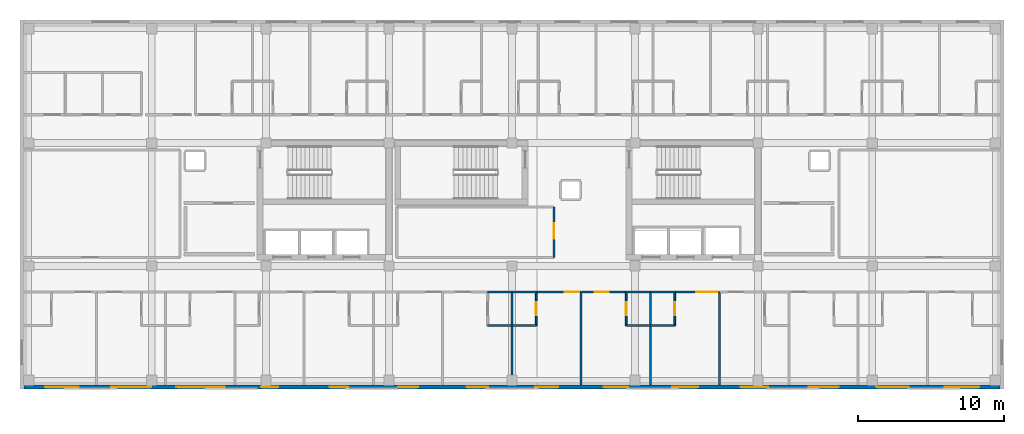
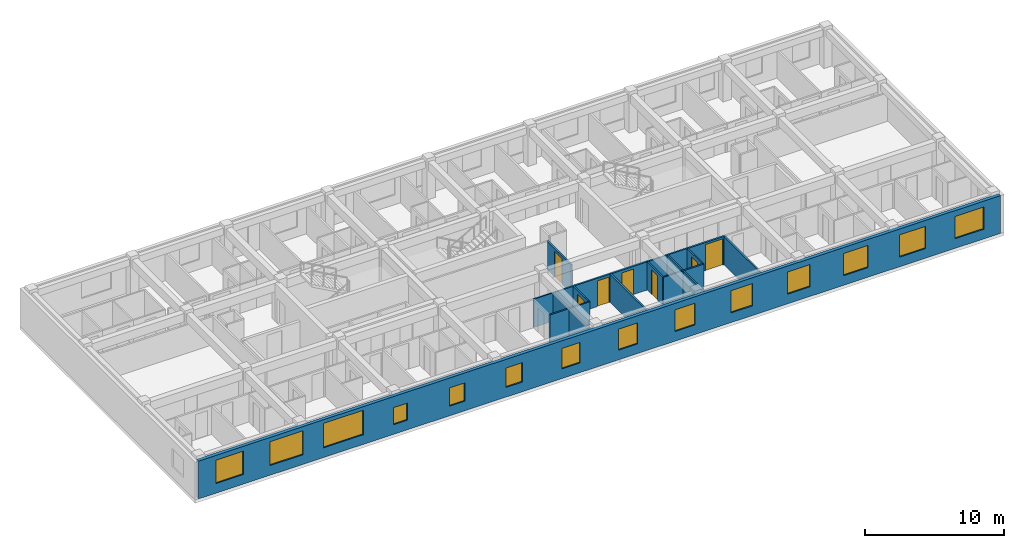
# One storey, part 5 of 11: 20 walls, 14 windows, 7 doors, 21 openings.
"""IFC4 building model written with IfcOpenShell, lengths in metres."""

import ifcopenshell
import ifcopenshell.guid

model = None  # the IFC model being written
_history = None  # IfcOwnerHistory: only IFC2X3 demands one
_inside = {}  # id of a spatial element -> (the spatial element, [elements in it])
_under = {}  # id of a project, library or spatial element -> (it, [spatial elements below it])
_declared = {}  # id of a project -> (the project, [libraries it declares])
_typed = {}  # id of a type object -> (the type object, [elements of that type])
_made_of = {}  # id of a material, layer set ... -> (it, [elements and type objects made of it])


def new_model(schema):
    """Start an empty IFC model of exactly this schema.

    Asked for "IFC4X3", IfcOpenShell would pick the latest addendum, in which some entities
    have other attributes; the version numbers below select the first issue.
    IFC2X3 requires an IfcOwnerHistory on every rooted entity: one is made here for all.
    """
    global model, _history
    if schema == "IFC4X3":
        model = ifcopenshell.file(schema_version=(4, 3, 0, 0))
    else:
        model = ifcopenshell.file(schema=schema)
    _inside.clear()
    _under.clear()
    _declared.clear()
    _typed.clear()
    _made_of.clear()
    _history = None
    if model.schema == "IFC2X3":
        org = make("IfcOrganization", Name="unknown")
        user = make(
            "IfcPersonAndOrganization",
            ThePerson=make("IfcPerson", FamilyName="unknown"),
            TheOrganization=org,
        )
        app = make(
            "IfcApplication",
            ApplicationDeveloper=org,
            Version="unknown",
            ApplicationFullName="unknown",
            ApplicationIdentifier="unknown",
        )
        _history = make(
            "IfcOwnerHistory",
            OwningUser=user,
            OwningApplication=app,
            ChangeAction="ADDED",
            CreationDate=0,
        )
    return model


def make(cls, **values):
    """One entity of the class cls with the attributes given. An attribute that is None is left unset."""
    return model.create_entity(
        cls, **{name: value for name, value in values.items() if value is not None}
    )


def rooted(cls, **values):
    """An entity with a GlobalId (a new one), such as an element, a storey or a relation."""
    return make(cls, GlobalId=ifcopenshell.guid.new(), OwnerHistory=_history, **values)


def si_unit(unit_type, name, prefix=None):
    """IfcSIUnit, for example si_unit("LENGTHUNIT", "METRE", prefix="MILLI")."""
    return make("IfcSIUnit", UnitType=unit_type, Prefix=prefix, Name=name)


def assignment(units):
    """IfcUnitAssignment: the units of a project."""
    return None if units is None else make("IfcUnitAssignment", Units=units)


def point(xyz):
    """IfcCartesianPoint."""
    return None if xyz is None else make("IfcCartesianPoint", Coordinates=xyz)


def direction(xyz):
    """IfcDirection."""
    return None if xyz is None else make("IfcDirection", DirectionRatios=xyz)


def frame(location, z_axis=None, x_axis=None):
    """IfcAxis2Placement3D, a coordinate frame: its origin and axes. An axis left out is left unset."""
    return make(
        "IfcAxis2Placement3D",
        Location=point(location),
        Axis=direction(z_axis),
        RefDirection=direction(x_axis),
    )


def frame_2d(location, x_axis=None):
    """IfcAxis2Placement2D, a coordinate frame in the plane: its origin and x axis."""
    return make(
        "IfcAxis2Placement2D", Location=point(location), RefDirection=direction(x_axis)
    )


def origin():
    """The frame at (0, 0, 0) with its axes left unset."""
    return frame((0.0, 0.0, 0.0))


def place(relative_to, where):
    """IfcLocalPlacement: puts the frame where relative to a parent placement (None: the world)."""
    return make(
        "IfcLocalPlacement", PlacementRelTo=relative_to, RelativePlacement=where
    )


def context(
    kind, dimensions, precision=None, world=None, true_north=None, identifier=None
):
    """IfcGeometricRepresentationContext, for example the 3D "Model" context."""
    return make(
        "IfcGeometricRepresentationContext",
        ContextIdentifier=identifier,
        ContextType=kind,
        CoordinateSpaceDimension=dimensions,
        Precision=precision,
        WorldCoordinateSystem=world,
        TrueNorth=true_north,
    )


def subcontext(parent, identifier, kind, view, scale=None):
    """IfcGeometricRepresentationSubContext, for example "Body" below "Model"."""
    return make(
        "IfcGeometricRepresentationSubContext",
        ContextIdentifier=identifier,
        ContextType=kind,
        ParentContext=parent,
        TargetScale=scale,
        TargetView=view,
    )


def project(units=None, contexts=None):
    """IfcProject with its units and contexts."""
    return rooted(
        "IfcProject",
        Name="project",
        RepresentationContexts=contexts,
        UnitsInContext=assignment(units),
    )


def spatial(cls, under=None, at=None, **own):
    """A site, building, storey or space (cls), placed at a placement, below another one or the project."""
    s = rooted(cls, ObjectPlacement=at, **own)
    if under is not None:
        _under.setdefault(under.id(), (under, []))[1].append(s)
    return s


def profile(cls, at=None, kind="AREA", **sizes):
    """A parametric profile (cls). Its sizes go by their IFC names, for example OverallWidth=200.0."""
    return make(cls, ProfileType=kind, Position=at, **sizes)


def rectangle(**sizes):
    """IfcRectangleProfileDef."""
    return profile("IfcRectangleProfileDef", **sizes)


def extrude(swept, where, along, depth):
    """IfcExtrudedAreaSolid: the profile swept, set in the frame where, extruded along a direction by depth."""
    return make(
        "IfcExtrudedAreaSolid",
        SweptArea=swept,
        Position=where,
        ExtrudedDirection=direction(along),
        Depth=depth,
    )


def shape(context_of_items, identifier, shape_type, items):
    """IfcShapeRepresentation: the items that make up one representation, for example the "Body"."""
    return make(
        "IfcShapeRepresentation",
        ContextOfItems=context_of_items,
        RepresentationIdentifier=identifier,
        RepresentationType=shape_type,
        Items=items,
    )


def material(Name=None, Category=None):
    """IfcMaterial."""
    return make("IfcMaterial", Name=Name, Category=Category)


def layer(
    of_material, thickness, ventilated=None, Name=None, Category=None, Priority=None
):
    """IfcMaterialLayer: one layer of a wall or slab, of a material (None: an air gap)."""
    return make(
        "IfcMaterialLayer",
        Material=of_material,
        LayerThickness=thickness,
        IsVentilated=ventilated,
        Name=Name,
        Category=Category,
        Priority=Priority,
    )


def layer_set(layers, Name=None):
    """IfcMaterialLayerSet."""
    return make("IfcMaterialLayerSet", MaterialLayers=layers, LayerSetName=Name)


def made_of(thing, what):
    """Note that an element or type object is made of a material, layer set ...; save() writes the relation."""
    if what is not None:
        _made_of.setdefault(what.id(), (what, []))[1].append(thing)
    return thing


def type_object(cls, material=None, **own):
    """A type object (cls), such as IfcWallType, which elements share."""
    return made_of(rooted(cls, **own), material)


def element(
    cls,
    number,
    at=None,
    inside=None,
    cuts=None,
    type_object=None,
    material=None,
    context=None,
    identifier="Body",
    shape_type=None,
    held_by="IfcProductDefinitionShape",
    body=None,
    shapes=None,
    **own,
):
    """One element of the class cls, such as IfcWall. Its Tag is "e" and its number.

    at: its placement. inside: the storey or other place that contains it. cuts: it is an
    opening in that element (IfcRelVoidsElement). A single representation is given by context,
    identifier, shape_type and body (its items); several are given by shapes. held_by: the class
    of the entity that holds the representations. save() writes the other relations.
    """
    e = rooted(cls, Tag="e%d" % number, ObjectPlacement=at, **own)
    if body is not None:
        shapes = [shape(context, identifier, shape_type, body)]
    if shapes is not None:
        e.Representation = make(held_by, Representations=shapes)
    if inside is not None:
        _inside.setdefault(inside.id(), (inside, []))[1].append(e)
    if cuts is not None:
        rooted(
            "IfcRelVoidsElement", RelatingBuildingElement=cuts, RelatedOpeningElement=e
        )
    if type_object is not None:
        _typed.setdefault(type_object.id(), (type_object, []))[1].append(e)
    return made_of(e, material)


def fill(opening, filler):
    """IfcRelFillsElement: the door or window that sits in an opening."""
    return rooted(
        "IfcRelFillsElement",
        RelatingOpeningElement=opening,
        RelatedBuildingElement=filler,
    )


def aggregate(whole, parts):
    """IfcRelAggregates: a whole, such as a stair, and the parts it consists of."""
    return rooted("IfcRelAggregates", RelatingObject=whole, RelatedObjects=parts)


def save(model, path):
    """Write the relations noted so far, then the file.

    IfcRelAggregates (storeys below a building ...), IfcRelContainedInSpatialStructure (elements
    in a storey), IfcRelDefinesByType, IfcRelAssociatesMaterial and IfcRelDeclares: one each for
    every whole, place, type object, material and project.
    """
    for whole, parts in _under.values():
        aggregate(whole, parts)
    for where, things in _inside.values():
        rooted(
            "IfcRelContainedInSpatialStructure",
            RelatedElements=things,
            RelatingStructure=where,
        )
    for kind, things in _typed.values():
        rooted("IfcRelDefinesByType", RelatedObjects=things, RelatingType=kind)
    for what, things in _made_of.values():
        rooted("IfcRelAssociatesMaterial", RelatedObjects=things, RelatingMaterial=what)
    for by, libraries in _declared.values():
        rooted("IfcRelDeclares", RelatingContext=by, RelatedDefinitions=libraries)
    model.write(path)


model = new_model("IFC4")

# Units and contexts
model_context = context("Model", 3, precision=1e-05, world=origin(), true_north=direction((0.0, 1.0)))
body_context = subcontext(model_context, "Body", "Model", "MODEL_VIEW")
ifc_project = project(units=[si_unit("LENGTHUNIT", "METRE"), si_unit("AREAUNIT", "SQUARE_METRE"), si_unit("VOLUMEUNIT", "CUBIC_METRE"), si_unit("PLANEANGLEUNIT", "RADIAN"), si_unit("MASSUNIT", "GRAM", prefix="KILO")], contexts=[model_context])

# Site, building, storey
site_placement = place(None, origin())
site = spatial("IfcSite", under=ifc_project, at=site_placement, CompositionType="ELEMENT")
building_placement = place(site_placement, origin())
building = spatial("IfcBuilding", under=site, at=building_placement, Name="Zayran Congress Hotel", CompositionType="ELEMENT")
storey_placement = place(building_placement, frame((0.0, 0.0, 26.39990234375)))
storey = spatial("IfcBuildingStorey", under=building, at=storey_placement, Name="L06", CompositionType="ELEMENT", Elevation=26.39990234375)

# Wall, openings, windows
ifc_material_1 = material(Name="Hajar Ma'ani limestone cavity wall and concrete C32/40", Category="masonry")
ifc_layer_1 = layer(ifc_material_1, 0.280029296875)
ifc_layer_set_1 = layer_set([ifc_layer_1], Name="Hajar Ma'ani limestone cavity wall and concrete C32/40")
wall_type_1 = type_object("IfcWallType", Name="WL-EX-280", PredefinedType="SOLIDWALL", material=ifc_layer_set_1)
wall_1_placement = place(storey_placement, frame((75.320068359375, 8.93994140625, 0.0), z_axis=(0.0, 0.0, 1.0), x_axis=(-1.0, 0.0, 0.0)))
wall_1 = element("IfcWall", 1, at=wall_1_placement, inside=storey, type_object=wall_type_1, Name="EW-V5-S-L06", PredefinedType="SOLIDWALL", context=body_context, shape_type="SweptSolid", body=[
    extrude(rectangle(XDim=66.64013671875, YDim=0.280029296875, at=frame_2d((33.320068359375, 0.0))), origin(), (0.0, 0.0, 1.0), 3.320068359375),
])
opening_1_placement = place(wall_1_placement, frame((62.905029296875, 0.0, 0.85009765625)))
opening_1 = element("IfcOpeningElement", 2, at=opening_1_placement, cuts=wall_1, Name="Opening WN-28", PredefinedType="OPENING", context=body_context, shape_type="SweptSolid", body=[
    extrude(rectangle(XDim=2.300048828125, YDim=2.050048828125, at=frame_2d((1.14990234375, 1.02490234375))), frame((0.0, 0.14990234375, 0.0), z_axis=(0.0, -1.0, 0.0), x_axis=(1.0, 0.0, 0.0)), (0.0, 0.0, 1.0), 0.300048828125),
])
opening_2_placement = place(wall_1_placement, frame((57.951904296875, 0.0, 0.85009765625)))
opening_2 = element("IfcOpeningElement", 3, at=opening_2_placement, cuts=wall_1, Name="Opening WN-29", PredefinedType="OPENING", context=body_context, shape_type="SweptSolid", body=[
    extrude(rectangle(XDim=2.75, YDim=2.10009765625, at=frame_2d((1.375, 1.050048828125))), frame((0.0, 0.14990234375, 0.0), z_axis=(0.0, -1.0, 0.0), x_axis=(1.0, 0.0, 0.0)), (0.0, 0.0, 1.0), 0.300048828125),
])
opening_3_placement = place(wall_1_placement, frame((52.947998046875, 0.0, 0.85009765625)))
opening_3 = element("IfcOpeningElement", 4, at=opening_3_placement, cuts=wall_1, Name="Opening WN-30", PredefinedType="OPENING", context=body_context, shape_type="SweptSolid", body=[
    extrude(rectangle(XDim=3.300048828125, YDim=2.14990234375, at=frame_2d((1.64990234375, 1.074951171875))), frame((0.0, 0.14990234375, 0.0), z_axis=(0.0, -1.0, 0.0), x_axis=(1.0, 0.0, 0.0)), (0.0, 0.0, 1.0), 0.300048828125),
])
opening_4_placement = place(wall_1_placement, frame((49.280029296875, 0.0, 0.85009765625)))
opening_4 = element("IfcOpeningElement", 5, at=opening_4_placement, cuts=wall_1, Name="Opening WN-31", PredefinedType="OPENING", context=body_context, shape_type="SweptSolid", body=[
    extrude(rectangle(XDim=1.179931640625, YDim=1.5, at=frame_2d((0.58984375, 0.75))), frame((0.0, 0.14990234375, 0.0), z_axis=(0.0, -1.0, 0.0), x_axis=(1.0, 0.0, 0.0)), (0.0, 0.0, 1.0), 0.300048828125),
])
opening_5_placement = place(wall_1_placement, frame((44.5009765625, 0.0, 0.85009765625)))
opening_5 = element("IfcOpeningElement", 6, at=opening_5_placement, cuts=wall_1, Name="Opening WN-32", PredefinedType="OPENING", context=body_context, shape_type="SweptSolid", body=[
    extrude(rectangle(XDim=1.280029296875, YDim=1.60009765625, at=frame_2d((0.64013671875, 0.800048828125))), frame((0.0, 0.14990234375, 0.0), z_axis=(0.0, -1.0, 0.0), x_axis=(1.0, 0.0, 0.0)), (0.0, 0.0, 1.0), 0.300048828125),
])
opening_6_placement = place(wall_1_placement, frame((39.722900390625, 0.0, 0.85009765625)))
opening_6 = element("IfcOpeningElement", 7, at=opening_6_placement, cuts=wall_1, Name="Opening WN-33", PredefinedType="OPENING", context=body_context, shape_type="SweptSolid", body=[
    extrude(rectangle(XDim=1.3798828125, YDim=1.699951171875, at=frame_2d((0.68994140625, 0.85009765625))), frame((0.0, 0.14990234375, 0.0), z_axis=(0.0, -1.0, 0.0), x_axis=(1.0, 0.0, 0.0)), (0.0, 0.0, 1.0), 0.300048828125),
])
opening_7_placement = place(wall_1_placement, frame((34.944091796875, 0.0, 0.85009765625)))
opening_7 = element("IfcOpeningElement", 8, at=opening_7_placement, cuts=wall_1, Name="Opening WN-34", PredefinedType="OPENING", context=body_context, shape_type="SweptSolid", body=[
    extrude(rectangle(XDim=1.47998046875, YDim=1.800048828125, at=frame_2d((0.739990234375, 0.89990234375))), frame((0.0, 0.14990234375, 0.0), z_axis=(0.0, -1.0, 0.0), x_axis=(1.0, 0.0, 0.0)), (0.0, 0.0, 1.0), 0.300048828125),
])
opening_8_placement = place(wall_1_placement, frame((30.1650390625, 0.0, 0.85009765625)))
opening_8 = element("IfcOpeningElement", 9, at=opening_8_placement, cuts=wall_1, Name="Opening WN-35", PredefinedType="OPENING", context=body_context, shape_type="SweptSolid", body=[
    extrude(rectangle(XDim=1.580078125, YDim=1.85009765625, at=frame_2d((0.7900390625, 0.925048828125))), frame((0.0, 0.14990234375, 0.0), z_axis=(0.0, -1.0, 0.0), x_axis=(1.0, 0.0, 0.0)), (0.0, 0.0, 1.0), 0.300048828125),
])
opening_9_placement = place(wall_1_placement, frame((25.386962890625, 0.0, 0.85009765625)))
opening_9 = element("IfcOpeningElement", 10, at=opening_9_placement, cuts=wall_1, Name="Opening WN-36", PredefinedType="OPENING", context=body_context, shape_type="SweptSolid", body=[
    extrude(rectangle(XDim=1.679931640625, YDim=1.89990234375, at=frame_2d((0.83984375, 0.949951171875))), frame((0.0, 0.14990234375, 0.0), z_axis=(0.0, -1.0, 0.0), x_axis=(1.0, 0.0, 0.0)), (0.0, 0.0, 1.0), 0.300048828125),
])
opening_10_placement = place(wall_1_placement, frame((20.60791015625, 0.0, 0.85009765625)))
opening_10 = element("IfcOpeningElement", 11, at=opening_10_placement, cuts=wall_1, Name="Opening WN-37", PredefinedType="OPENING", context=body_context, shape_type="SweptSolid", body=[
    extrude(rectangle(XDim=1.780029296875, YDim=1.949951171875, at=frame_2d((0.89013671875, 0.97509765625))), frame((0.0, 0.14990234375, 0.0), z_axis=(0.0, -1.0, 0.0), x_axis=(1.0, 0.0, 0.0)), (0.0, 0.0, 1.0), 0.300048828125),
])
opening_11_placement = place(wall_1_placement, frame((15.830078125, 0.0, 0.85009765625)))
opening_11 = element("IfcOpeningElement", 12, at=opening_11_placement, cuts=wall_1, Name="Opening WN-38", PredefinedType="OPENING", context=body_context, shape_type="SweptSolid", body=[
    extrude(rectangle(XDim=1.8798828125, YDim=1.949951171875, at=frame_2d((0.93994140625, 0.97509765625))), frame((0.0, 0.14990234375, 0.0), z_axis=(0.0, -1.0, 0.0), x_axis=(1.0, 0.0, 0.0)), (0.0, 0.0, 1.0), 0.300048828125),
])
opening_12_placement = place(wall_1_placement, frame((11.01611328125, 0.0, 0.85009765625)))
opening_12 = element("IfcOpeningElement", 13, at=opening_12_placement, cuts=wall_1, Name="Opening WN-39", PredefinedType="OPENING", context=body_context, shape_type="SweptSolid", body=[
    extrude(rectangle(XDim=2.050048828125, YDim=1.949951171875, at=frame_2d((1.02490234375, 0.97509765625))), frame((0.0, 0.14990234375, 0.0), z_axis=(0.0, -1.0, 0.0), x_axis=(1.0, 0.0, 0.0)), (0.0, 0.0, 1.0), 0.300048828125),
])
opening_13_placement = place(wall_1_placement, frame((6.222900390625, 0.0, 0.85009765625)))
opening_13 = element("IfcOpeningElement", 14, at=opening_13_placement, cuts=wall_1, Name="Opening WN-40", PredefinedType="OPENING", context=body_context, shape_type="SweptSolid", body=[
    extrude(rectangle(XDim=2.179931640625, YDim=1.949951171875, at=frame_2d((1.08984375, 0.97509765625))), frame((0.0, 0.14990234375, 0.0), z_axis=(0.0, -1.0, 0.0), x_axis=(1.0, 0.0, 0.0)), (0.0, 0.0, 1.0), 0.300048828125),
])
opening_14_placement = place(wall_1_placement, frame((1.39404296875, 0.0, 0.85009765625)))
opening_14 = element("IfcOpeningElement", 15, at=opening_14_placement, cuts=wall_1, Name="Opening WN-41", PredefinedType="OPENING", context=body_context, shape_type="SweptSolid", body=[
    extrude(rectangle(XDim=2.3798828125, YDim=1.949951171875, at=frame_2d((1.18994140625, 0.97509765625))), frame((0.0, 0.14990234375, 0.0), z_axis=(0.0, -1.0, 0.0), x_axis=(1.0, 0.0, 0.0)), (0.0, 0.0, 1.0), 0.300048828125),
])
ifc_material_2 = material(Name="Anodised aluminium and low-E insulated glass", Category="aluminium")
window_type_1 = type_object("IfcWindowType", Name="TP-WN-28", PartitioningType="DOUBLE_PANEL_VERTICAL", PredefinedType="WINDOW", material=ifc_material_2)
window_1_placement = place(opening_1_placement, origin())
window_1 = element("IfcWindow", 16, at=window_1_placement, inside=storey, type_object=window_type_1, Name="WIN-V5S-L06-0333", OverallHeight=2.050048828125, OverallWidth=2.300048828125, PartitioningType="SINGLE_PANEL", PredefinedType="WINDOW", context=body_context, shape_type="SweptSolid", body=[
    extrude(rectangle(XDim=2.300048828125, YDim=2.050048828125, at=frame_2d((1.14990234375, 1.02490234375))), frame((0.0, 0.030029296875, 0.0), z_axis=(0.0, -1.0, 0.0), x_axis=(1.0, 0.0, 0.0)), (0.0, 0.0, 1.0), 0.06005859375),
])
fill(opening_1, window_1)
window_type_2 = type_object("IfcWindowType", Name="TP-WN-29", PartitioningType="TRIPLE_PANEL_VERTICAL", PredefinedType="WINDOW", material=ifc_material_2)
window_2_placement = place(opening_2_placement, origin())
window_2 = element("IfcWindow", 17, at=window_2_placement, inside=storey, type_object=window_type_2, Name="WIN-V5S-L06-0334", OverallHeight=2.10009765625, OverallWidth=2.75, PartitioningType="SINGLE_PANEL", PredefinedType="WINDOW", context=body_context, shape_type="SweptSolid", body=[
    extrude(rectangle(XDim=2.75, YDim=2.10009765625, at=frame_2d((1.375, 1.050048828125))), frame((0.0, 0.030029296875, 0.0), z_axis=(0.0, -1.0, 0.0), x_axis=(1.0, 0.0, 0.0)), (0.0, 0.0, 1.0), 0.06005859375),
])
fill(opening_2, window_2)
window_type_3 = type_object("IfcWindowType", Name="TP-WN-30", PartitioningType="TRIPLE_PANEL_VERTICAL", PredefinedType="WINDOW", material=ifc_material_2)
window_3_placement = place(opening_3_placement, origin())
window_3 = element("IfcWindow", 18, at=window_3_placement, inside=storey, type_object=window_type_3, Name="WIN-V5S-L06-0335", OverallHeight=2.14990234375, OverallWidth=3.300048828125, PartitioningType="SINGLE_PANEL", PredefinedType="WINDOW", context=body_context, shape_type="SweptSolid", body=[
    extrude(rectangle(XDim=3.300048828125, YDim=2.14990234375, at=frame_2d((1.64990234375, 1.074951171875))), frame((0.0, 0.030029296875, 0.0), z_axis=(0.0, -1.0, 0.0), x_axis=(1.0, 0.0, 0.0)), (0.0, 0.0, 1.0), 0.06005859375),
])
fill(opening_3, window_3)
window_type_4 = type_object("IfcWindowType", Name="TP-WN-31", PartitioningType="SINGLE_PANEL", PredefinedType="WINDOW", material=ifc_material_2)
window_4_placement = place(opening_4_placement, origin())
window_4 = element("IfcWindow", 19, at=window_4_placement, inside=storey, type_object=window_type_4, Name="WIN-V5S-L06-0336", OverallHeight=1.5, OverallWidth=1.179931640625, PartitioningType="SINGLE_PANEL", PredefinedType="WINDOW", context=body_context, shape_type="SweptSolid", body=[
    extrude(rectangle(XDim=1.179931640625, YDim=1.5, at=frame_2d((0.58984375, 0.75))), frame((0.0, 0.030029296875, 0.0), z_axis=(0.0, -1.0, 0.0), x_axis=(1.0, 0.0, 0.0)), (0.0, 0.0, 1.0), 0.06005859375),
])
fill(opening_4, window_4)
window_type_5 = type_object("IfcWindowType", Name="TP-WN-32", PartitioningType="SINGLE_PANEL", PredefinedType="WINDOW", material=ifc_material_2)
window_5_placement = place(opening_5_placement, origin())
window_5 = element("IfcWindow", 20, at=window_5_placement, inside=storey, type_object=window_type_5, Name="WIN-V5S-L06-0337", OverallHeight=1.60009765625, OverallWidth=1.280029296875, PartitioningType="SINGLE_PANEL", PredefinedType="WINDOW", context=body_context, shape_type="SweptSolid", body=[
    extrude(rectangle(XDim=1.280029296875, YDim=1.60009765625, at=frame_2d((0.64013671875, 0.800048828125))), frame((0.0, 0.030029296875, 0.0), z_axis=(0.0, -1.0, 0.0), x_axis=(1.0, 0.0, 0.0)), (0.0, 0.0, 1.0), 0.06005859375),
])
fill(opening_5, window_5)
window_type_6 = type_object("IfcWindowType", Name="TP-WN-33", PartitioningType="SINGLE_PANEL", PredefinedType="WINDOW", material=ifc_material_2)
window_6_placement = place(opening_6_placement, origin())
window_6 = element("IfcWindow", 21, at=window_6_placement, inside=storey, type_object=window_type_6, Name="WIN-V5S-L06-0338", OverallHeight=1.699951171875, OverallWidth=1.3798828125, PartitioningType="SINGLE_PANEL", PredefinedType="WINDOW", context=body_context, shape_type="SweptSolid", body=[
    extrude(rectangle(XDim=1.3798828125, YDim=1.699951171875, at=frame_2d((0.68994140625, 0.85009765625))), frame((0.0, 0.030029296875, 0.0), z_axis=(0.0, -1.0, 0.0), x_axis=(1.0, 0.0, 0.0)), (0.0, 0.0, 1.0), 0.06005859375),
])
fill(opening_6, window_6)
window_type_7 = type_object("IfcWindowType", Name="TP-WN-34", PartitioningType="SINGLE_PANEL", PredefinedType="WINDOW", material=ifc_material_2)
window_7_placement = place(opening_7_placement, origin())
window_7 = element("IfcWindow", 22, at=window_7_placement, inside=storey, type_object=window_type_7, Name="WIN-V5S-L06-0339", OverallHeight=1.800048828125, OverallWidth=1.47998046875, PartitioningType="SINGLE_PANEL", PredefinedType="WINDOW", context=body_context, shape_type="SweptSolid", body=[
    extrude(rectangle(XDim=1.47998046875, YDim=1.800048828125, at=frame_2d((0.739990234375, 0.89990234375))), frame((0.0, 0.030029296875, 0.0), z_axis=(0.0, -1.0, 0.0), x_axis=(1.0, 0.0, 0.0)), (0.0, 0.0, 1.0), 0.06005859375),
])
fill(opening_7, window_7)
window_type_8 = type_object("IfcWindowType", Name="TP-WN-35", PartitioningType="DOUBLE_PANEL_VERTICAL", PredefinedType="WINDOW", material=ifc_material_2)
window_8_placement = place(opening_8_placement, origin())
window_8 = element("IfcWindow", 23, at=window_8_placement, inside=storey, type_object=window_type_8, Name="WIN-V5S-L06-0340", OverallHeight=1.85009765625, OverallWidth=1.580078125, PartitioningType="SINGLE_PANEL", PredefinedType="WINDOW", context=body_context, shape_type="SweptSolid", body=[
    extrude(rectangle(XDim=1.580078125, YDim=1.85009765625, at=frame_2d((0.7900390625, 0.925048828125))), frame((0.0, 0.030029296875, 0.0), z_axis=(0.0, -1.0, 0.0), x_axis=(1.0, 0.0, 0.0)), (0.0, 0.0, 1.0), 0.06005859375),
])
fill(opening_8, window_8)
window_type_9 = type_object("IfcWindowType", Name="TP-WN-36", PartitioningType="DOUBLE_PANEL_VERTICAL", PredefinedType="WINDOW", material=ifc_material_2)
window_9_placement = place(opening_9_placement, origin())
window_9 = element("IfcWindow", 24, at=window_9_placement, inside=storey, type_object=window_type_9, Name="WIN-V5S-L06-0341", OverallHeight=1.89990234375, OverallWidth=1.679931640625, PartitioningType="SINGLE_PANEL", PredefinedType="WINDOW", context=body_context, shape_type="SweptSolid", body=[
    extrude(rectangle(XDim=1.679931640625, YDim=1.89990234375, at=frame_2d((0.83984375, 0.949951171875))), frame((0.0, 0.030029296875, 0.0), z_axis=(0.0, -1.0, 0.0), x_axis=(1.0, 0.0, 0.0)), (0.0, 0.0, 1.0), 0.06005859375),
])
fill(opening_9, window_9)
window_type_10 = type_object("IfcWindowType", Name="TP-WN-37", PartitioningType="DOUBLE_PANEL_VERTICAL", PredefinedType="WINDOW", material=ifc_material_2)
window_10_placement = place(opening_10_placement, origin())
window_10 = element("IfcWindow", 25, at=window_10_placement, inside=storey, type_object=window_type_10, Name="WIN-V5S-L06-0342", OverallHeight=1.949951171875, OverallWidth=1.780029296875, PartitioningType="SINGLE_PANEL", PredefinedType="WINDOW", context=body_context, shape_type="SweptSolid", body=[
    extrude(rectangle(XDim=1.780029296875, YDim=1.949951171875, at=frame_2d((0.89013671875, 0.97509765625))), frame((0.0, 0.030029296875, 0.0), z_axis=(0.0, -1.0, 0.0), x_axis=(1.0, 0.0, 0.0)), (0.0, 0.0, 1.0), 0.06005859375),
])
fill(opening_10, window_10)
window_type_11 = type_object("IfcWindowType", Name="TP-WN-38", PartitioningType="DOUBLE_PANEL_VERTICAL", PredefinedType="WINDOW", material=ifc_material_2)
window_11_placement = place(opening_11_placement, origin())
window_11 = element("IfcWindow", 26, at=window_11_placement, inside=storey, type_object=window_type_11, Name="WIN-V5S-L06-0343", OverallHeight=1.949951171875, OverallWidth=1.8798828125, PartitioningType="SINGLE_PANEL", PredefinedType="WINDOW", context=body_context, shape_type="SweptSolid", body=[
    extrude(rectangle(XDim=1.8798828125, YDim=1.949951171875, at=frame_2d((0.93994140625, 0.97509765625))), frame((0.0, 0.030029296875, 0.0), z_axis=(0.0, -1.0, 0.0), x_axis=(1.0, 0.0, 0.0)), (0.0, 0.0, 1.0), 0.06005859375),
])
fill(opening_11, window_11)
window_type_12 = type_object("IfcWindowType", Name="TP-WN-39", PartitioningType="DOUBLE_PANEL_VERTICAL", PredefinedType="WINDOW", material=ifc_material_2)
window_12_placement = place(opening_12_placement, origin())
window_12 = element("IfcWindow", 27, at=window_12_placement, inside=storey, type_object=window_type_12, Name="WIN-V5S-L06-0344", OverallHeight=1.949951171875, OverallWidth=2.050048828125, PartitioningType="SINGLE_PANEL", PredefinedType="WINDOW", context=body_context, shape_type="SweptSolid", body=[
    extrude(rectangle(XDim=2.050048828125, YDim=1.949951171875, at=frame_2d((1.02490234375, 0.97509765625))), frame((0.0, 0.030029296875, 0.0), z_axis=(0.0, -1.0, 0.0), x_axis=(1.0, 0.0, 0.0)), (0.0, 0.0, 1.0), 0.06005859375),
])
fill(opening_12, window_12)
window_type_13 = type_object("IfcWindowType", Name="TP-WN-40", PartitioningType="DOUBLE_PANEL_VERTICAL", PredefinedType="WINDOW", material=ifc_material_2)
window_13_placement = place(opening_13_placement, origin())
window_13 = element("IfcWindow", 28, at=window_13_placement, inside=storey, type_object=window_type_13, Name="WIN-V5S-L06-0345", OverallHeight=1.949951171875, OverallWidth=2.179931640625, PartitioningType="SINGLE_PANEL", PredefinedType="WINDOW", context=body_context, shape_type="SweptSolid", body=[
    extrude(rectangle(XDim=2.179931640625, YDim=1.949951171875, at=frame_2d((1.08984375, 0.97509765625))), frame((0.0, 0.030029296875, 0.0), z_axis=(0.0, -1.0, 0.0), x_axis=(1.0, 0.0, 0.0)), (0.0, 0.0, 1.0), 0.06005859375),
])
fill(opening_13, window_13)
window_type_14 = type_object("IfcWindowType", Name="TP-WN-41", PartitioningType="DOUBLE_PANEL_VERTICAL", PredefinedType="WINDOW", material=ifc_material_2)
window_14_placement = place(opening_14_placement, origin())
window_14 = element("IfcWindow", 29, at=window_14_placement, inside=storey, type_object=window_type_14, Name="WIN-V5S-L06-0346", OverallHeight=1.949951171875, OverallWidth=2.3798828125, PartitioningType="SINGLE_PANEL", PredefinedType="WINDOW", context=body_context, shape_type="SweptSolid", body=[
    extrude(rectangle(XDim=2.3798828125, YDim=1.949951171875, at=frame_2d((1.18994140625, 0.97509765625))), frame((0.0, 0.030029296875, 0.0), z_axis=(0.0, -1.0, 0.0), x_axis=(1.0, 0.0, 0.0)), (0.0, 0.0, 1.0), 0.06005859375),
])
fill(opening_14, window_14)

# Wall, opening, door
ifc_material_3 = material(Name="Hospitality guestroom acoustic partition", Category="gypsum")
ifc_layer_2 = layer(ifc_material_3, 0.139892578125)
ifc_layer_set_2 = layer_set([ifc_layer_2], Name="Hospitality guestroom acoustic partition")
wall_type_2 = type_object("IfcWallType", Name="WL-PT-140", PredefinedType="PARTITIONING", material=ifc_layer_set_2)
wall_2_placement = place(storey_placement, frame((44.8701171875, 17.77001953125, 0.0), z_axis=(0.0, 0.0, 1.0), x_axis=(0.0, 1.0, 0.0)))
wall_2 = element("IfcWall", 30, at=wall_2_placement, inside=storey, type_object=wall_type_2, Name="IW-L06-0689", PredefinedType="PARTITIONING", context=body_context, shape_type="SweptSolid", body=[
    extrude(rectangle(XDim=3.4599609375, YDim=0.139892578125, at=frame_2d((1.72998046875, 0.0))), origin(), (0.0, 0.0, 1.0), 2.47998046875),
])
opening_15_placement = place(wall_2_placement, frame((1.283935546875, 0.0, 0.0)))
opening_15 = element("IfcOpeningElement", 31, at=opening_15_placement, cuts=wall_2, Name="Opening DR-MT-01", PredefinedType="OPENING", context=body_context, shape_type="SweptSolid", body=[
    extrude(rectangle(XDim=1.080078125, YDim=2.25, at=frame_2d((0.5400390625, 1.125))), frame((0.0, 0.079833984375, 0.0), z_axis=(0.0, -1.0, 0.0), x_axis=(1.0, 0.0, 0.0)), (0.0, 0.0, 1.0), 0.159912109375),
])
ifc_material_4 = material(Name="Acoustic timber seminar room door", Category="wood")
door_type_1 = type_object("IfcDoorType", Name="TP-DR-MT-01", OperationType="NOTDEFINED", PredefinedType="DOOR", material=ifc_material_4)
door_1_placement = place(opening_15_placement, origin())
door_1 = element("IfcDoor", 32, at=door_1_placement, inside=storey, type_object=door_type_1, Name="Hospitality Gallery Lounge L06 Door", OperationType="SINGLE_SWING_LEFT", OverallHeight=2.25, OverallWidth=1.080078125, PredefinedType="DOOR", context=body_context, shape_type="SweptSolid", body=[
    extrude(rectangle(XDim=1.080078125, YDim=2.25, at=frame_2d((0.5400390625, 1.125))), frame((0.0, 0.02490234375, 0.0), z_axis=(0.0, -1.0, 0.0), x_axis=(1.0, 0.0, 0.0)), (0.0, 0.0, 1.0), 0.050048828125),
])
fill(opening_15, door_1)

wall_3_placement = place(storey_placement, frame((43.657958984375, 15.419921875, 0.0), z_axis=(0.0, 0.0, 1.0), x_axis=(1.0, 0.0, 0.0)))
wall_3 = element("IfcWall", 33, at=wall_3_placement, inside=storey, type_object=wall_type_2, Name="IW-L06-0699", PredefinedType="PARTITIONING", context=body_context, shape_type="SweptSolid", body=[
    extrude(rectangle(XDim=3.06103515625, YDim=0.139892578125, at=frame_2d((1.530517578125, 0.0))), origin(), (0.0, 0.0, 1.0), 2.47998046875),
])
opening_16_placement = place(wall_3_placement, frame((1.9609375, 0.0, 0.0)))
opening_16 = element("IfcOpeningElement", 34, at=opening_16_placement, cuts=wall_3, Name="Opening DR-GR-03", PredefinedType="OPENING", context=body_context, shape_type="SweptSolid", body=[
    extrude(rectangle(XDim=0.9599609375, YDim=2.25, at=frame_2d((0.47998046875, 1.125))), frame((0.0, 0.079833984375, 0.0), z_axis=(0.0, -1.0, 0.0), x_axis=(1.0, 0.0, 0.0)), (0.0, 0.0, 1.0), 0.159912109375),
])
ifc_material_5 = material(Name="Executive walnut veneer entry door", Category="wood")
door_type_2 = type_object("IfcDoorType", Name="TP-DR-GR-03", OperationType="NOTDEFINED", PredefinedType="DOOR", material=ifc_material_5)
door_2_placement = place(opening_16_placement, origin())
door_2 = element("IfcDoor", 35, at=door_2_placement, inside=storey, type_object=door_type_2, Name="Guest Room L06-08 Door", OperationType="SINGLE_SWING_RIGHT", OverallHeight=2.25, OverallWidth=0.9599609375, PredefinedType="DOOR", context=body_context, shape_type="SweptSolid", body=[
    extrude(rectangle(XDim=0.9599609375, YDim=2.25, at=frame_2d((0.47998046875, 1.125))), frame((0.0, 0.02490234375, 0.0), z_axis=(0.0, -1.0, 0.0), x_axis=(1.0, 0.0, 0.0)), (0.0, 0.0, 1.0), 0.050048828125),
])
fill(opening_16, door_2)

wall_4_placement = place(storey_placement, frame((46.739013671875, 15.419921875, 0.0), z_axis=(0.0, 0.0, 1.0), x_axis=(1.0, 0.0, 0.0)))
wall_4 = element("IfcWall", 36, at=wall_4_placement, inside=storey, type_object=wall_type_2, Name="IW-L06-0700", PredefinedType="PARTITIONING", context=body_context, shape_type="SweptSolid", body=[
    extrude(rectangle(XDim=3.06103515625, YDim=0.139892578125, at=frame_2d((1.530517578125, 0.0))), origin(), (0.0, 0.0, 1.0), 2.47998046875),
])
opening_17_placement = place(wall_4_placement, frame((0.919921875, 0.0, 0.0)))
opening_17 = element("IfcOpeningElement", 37, at=opening_17_placement, cuts=wall_4, Name="Opening DR-GR-03", PredefinedType="OPENING", context=body_context, shape_type="SweptSolid", body=[
    extrude(rectangle(XDim=0.9599609375, YDim=2.25, at=frame_2d((0.47998046875, 1.125))), frame((0.0, 0.079833984375, 0.0), z_axis=(0.0, -1.0, 0.0), x_axis=(1.0, 0.0, 0.0)), (0.0, 0.0, 1.0), 0.159912109375),
])
door_3_placement = place(opening_17_placement, origin())
door_3 = element("IfcDoor", 38, at=door_3_placement, inside=storey, type_object=door_type_2, Name="Guest Room L06-09 Door", OperationType="SINGLE_SWING_LEFT", OverallHeight=2.25, OverallWidth=0.9599609375, PredefinedType="DOOR", context=body_context, shape_type="SweptSolid", body=[
    extrude(rectangle(XDim=0.9599609375, YDim=2.25, at=frame_2d((0.47998046875, 1.125))), frame((0.0, 0.02490234375, 0.0), z_axis=(0.0, -1.0, 0.0), x_axis=(1.0, 0.0, 0.0)), (0.0, 0.0, 1.0), 0.050048828125),
])
fill(opening_17, door_3)

wall_5_placement = place(storey_placement, frame((53.114990234375, 15.419921875, 0.0), z_axis=(0.0, 0.0, 1.0), x_axis=(1.0, 0.0, 0.0)))
wall_5 = element("IfcWall", 39, at=wall_5_placement, inside=storey, type_object=wall_type_2, Name="IW-L06-0701", PredefinedType="PARTITIONING", context=body_context, shape_type="SweptSolid", body=[
    extrude(rectangle(XDim=3.06103515625, YDim=0.139892578125, at=frame_2d((1.530517578125, 0.0))), origin(), (0.0, 0.0, 1.0), 2.47998046875),
])
opening_18_placement = place(wall_5_placement, frame((1.470947265625, 0.0, 0.0)))
opening_18 = element("IfcOpeningElement", 40, at=opening_18_placement, cuts=wall_5, Name="Opening DR-ST-01", PredefinedType="OPENING", context=body_context, shape_type="SweptSolid", body=[
    extrude(rectangle(XDim=1.449951171875, YDim=2.300048828125, at=frame_2d((0.72509765625, 1.14990234375))), frame((0.0, 0.079833984375, 0.0), z_axis=(0.0, -1.0, 0.0), x_axis=(1.0, 0.0, 0.0)), (0.0, 0.0, 1.0), 0.159912109375),
])
ifc_material_6 = material(Name="Double walnut veneer suite entry door", Category="wood")
door_type_3 = type_object("IfcDoorType", Name="TP-DR-ST-01", OperationType="DOUBLE_DOOR_SINGLE_SWING", PredefinedType="DOOR", material=ifc_material_6)
door_4_placement = place(opening_18_placement, origin())
door_4 = element("IfcDoor", 41, at=door_4_placement, inside=storey, type_object=door_type_3, Name="Junior Suite L06-10 Door", OperationType="DOUBLE_DOOR_SINGLE_SWING", OverallHeight=2.300048828125, OverallWidth=1.449951171875, PredefinedType="DOOR", context=body_context, shape_type="SweptSolid", body=[
    extrude(rectangle(XDim=1.449951171875, YDim=2.300048828125, at=frame_2d((0.72509765625, 1.14990234375))), frame((0.0, 0.02490234375, 0.0), z_axis=(0.0, -1.0, 0.0), x_axis=(1.0, 0.0, 0.0)), (0.0, 0.0, 1.0), 0.050048828125),
])
fill(opening_18, door_4)

# Walls
for number, where, z_axis, x_axis, name in (
    (42, (41.989990234375, 9.080078125, 0.0), (0.0, 0.0, 1.0), (0.0, 1.0, 0.0), "IW-L06-2029"),
    (43, (46.718994140625, 9.080078125, 0.0), (0.0, 0.0, 1.0), (0.0, 1.0, 0.0), "IW-L06-2030"),
    (44, (51.447021484375, 9.080078125, 0.0), (0.0, 0.0, 1.0), (0.0, 1.0, 0.0), "IW-L06-2031"),
    (45, (56.176025390625, 9.080078125, 0.0), (0.0, 0.0, 1.0), (0.0, 1.0, 0.0), "IW-L06-2032"),
):
    element("IfcWall", number, at=place(storey_placement, frame(where, z_axis=z_axis, x_axis=x_axis)), inside=storey, type_object=wall_type_2, Name=name, PredefinedType="PARTITIONING", context=body_context, shape_type="SweptSolid", body=[
        extrude(rectangle(XDim=6.349853515625, YDim=0.139892578125, at=frame_2d((3.1748046875, 0.0))), origin(), (0.0, 0.0, 1.0), 2.47998046875),
    ])

# Wall, opening, door
ifc_material_7 = material(Name="Moisture-resistant bathroom partition", Category="gypsum")
ifc_layer_3 = layer(ifc_material_7, 0.1201171875)
ifc_layer_set_3 = layer_set([ifc_layer_3], Name="Moisture-resistant bathroom partition")
wall_type_3 = type_object("IfcWallType", Name="WL-PT-120", PredefinedType="PARTITIONING", material=ifc_layer_set_3)
wall_6_placement = place(storey_placement, frame((43.657958984375, 13.1201171875, 0.0), z_axis=(0.0, 0.0, 1.0), x_axis=(0.0, 1.0, 0.0)))
wall_6 = element("IfcWall", 46, at=wall_6_placement, inside=storey, type_object=wall_type_3, Name="IW-L06-0198", PredefinedType="PARTITIONING", context=body_context, shape_type="SweptSolid", body=[
    extrude(rectangle(XDim=2.309814453125, YDim=0.1201171875, at=frame_2d((1.15478515625, 0.0))), origin(), (0.0, 0.0, 1.0), 2.47998046875),
])
opening_19_placement = place(wall_6_placement, frame((0.715087890625, 0.0, 0.0)))
opening_19 = element("IfcOpeningElement", 47, at=opening_19_placement, cuts=wall_6, Name="Opening DR-BT-01", PredefinedType="OPENING", context=body_context, shape_type="SweptSolid", body=[
    extrude(rectangle(XDim=0.8798828125, YDim=2.14990234375, at=frame_2d((0.43994140625, 1.074951171875))), frame((0.0, 0.070068359375, 0.0), z_axis=(0.0, -1.0, 0.0), x_axis=(1.0, 0.0, 0.0)), (0.0, 0.0, 1.0), 0.14013671875),
])
ifc_material_8 = material(Name="Moisture-resistant oak en-suite door", Category="wood")
door_type_4 = type_object("IfcDoorType", Name="TP-DR-BT-01", OperationType="NOTDEFINED", PredefinedType="DOOR", material=ifc_material_8)
door_5_placement = place(opening_19_placement, origin())
door_5 = element("IfcDoor", 48, at=door_5_placement, inside=storey, type_object=door_type_4, Name="En-Suite Bathroom L06-08 Door", OperationType="SINGLE_SWING_LEFT", OverallHeight=2.14990234375, OverallWidth=0.8798828125, PredefinedType="DOOR", context=body_context, shape_type="SweptSolid", body=[
    extrude(rectangle(XDim=0.8798828125, YDim=2.14990234375, at=frame_2d((0.43994140625, 1.074951171875))), frame((0.0, 0.02490234375, 0.0), z_axis=(0.0, -1.0, 0.0), x_axis=(1.0, 0.0, 0.0)), (0.0, 0.0, 1.0), 0.050048828125),
])
fill(opening_19, door_5)

wall_7_placement = place(storey_placement, frame((49.800048828125, 13.1201171875, 0.0), z_axis=(0.0, 0.0, 1.0), x_axis=(0.0, 1.0, 0.0)))
wall_7 = element("IfcWall", 49, at=wall_7_placement, inside=storey, type_object=wall_type_3, Name="IW-L06-0199", PredefinedType="PARTITIONING", context=body_context, shape_type="SweptSolid", body=[
    extrude(rectangle(XDim=2.309814453125, YDim=0.1201171875, at=frame_2d((1.15478515625, 0.0))), origin(), (0.0, 0.0, 1.0), 2.47998046875),
])
opening_20_placement = place(wall_7_placement, frame((0.715087890625, 0.0, 0.0)))
opening_20 = element("IfcOpeningElement", 50, at=opening_20_placement, cuts=wall_7, Name="Opening DR-BT-01", PredefinedType="OPENING", context=body_context, shape_type="SweptSolid", body=[
    extrude(rectangle(XDim=0.8798828125, YDim=2.14990234375, at=frame_2d((0.43994140625, 1.074951171875))), frame((0.0, 0.070068359375, 0.0), z_axis=(0.0, -1.0, 0.0), x_axis=(1.0, 0.0, 0.0)), (0.0, 0.0, 1.0), 0.14013671875),
])
door_6_placement = place(opening_20_placement, origin())
door_6 = element("IfcDoor", 51, at=door_6_placement, inside=storey, type_object=door_type_4, Name="En-Suite Bathroom L06-09 Door", OperationType="SINGLE_SWING_RIGHT", OverallHeight=2.14990234375, OverallWidth=0.8798828125, PredefinedType="DOOR", context=body_context, shape_type="SweptSolid", body=[
    extrude(rectangle(XDim=0.8798828125, YDim=2.14990234375, at=frame_2d((0.43994140625, 1.074951171875))), frame((0.0, 0.02490234375, 0.0), z_axis=(0.0, -1.0, 0.0), x_axis=(1.0, 0.0, 0.0)), (0.0, 0.0, 1.0), 0.050048828125),
])
fill(opening_20, door_6)

wall_8_placement = place(storey_placement, frame((53.114990234375, 13.1201171875, 0.0), z_axis=(0.0, 0.0, 1.0), x_axis=(0.0, 1.0, 0.0)))
wall_8 = element("IfcWall", 52, at=wall_8_placement, inside=storey, type_object=wall_type_3, Name="IW-L06-0200", PredefinedType="PARTITIONING", context=body_context, shape_type="SweptSolid", body=[
    extrude(rectangle(XDim=2.309814453125, YDim=0.1201171875, at=frame_2d((1.15478515625, 0.0))), origin(), (0.0, 0.0, 1.0), 2.47998046875),
])
opening_21_placement = place(wall_8_placement, frame((0.715087890625, 0.0, 0.0)))
opening_21 = element("IfcOpeningElement", 53, at=opening_21_placement, cuts=wall_8, Name="Opening DR-BT-01", PredefinedType="OPENING", context=body_context, shape_type="SweptSolid", body=[
    extrude(rectangle(XDim=0.8798828125, YDim=2.14990234375, at=frame_2d((0.43994140625, 1.074951171875))), frame((0.0, 0.070068359375, 0.0), z_axis=(0.0, -1.0, 0.0), x_axis=(1.0, 0.0, 0.0)), (0.0, 0.0, 1.0), 0.14013671875),
])
door_7_placement = place(opening_21_placement, origin())
door_7 = element("IfcDoor", 54, at=door_7_placement, inside=storey, type_object=door_type_4, Name="En-Suite Bathroom L06-10 Door", OperationType="SINGLE_SWING_LEFT", OverallHeight=2.14990234375, OverallWidth=0.8798828125, PredefinedType="DOOR", context=body_context, shape_type="SweptSolid", body=[
    extrude(rectangle(XDim=0.8798828125, YDim=2.14990234375, at=frame_2d((0.43994140625, 1.074951171875))), frame((0.0, 0.02490234375, 0.0), z_axis=(0.0, -1.0, 0.0), x_axis=(1.0, 0.0, 0.0)), (0.0, 0.0, 1.0), 0.050048828125),
])
fill(opening_21, door_7)

# Walls
for number, where, z_axis, x_axis, name in (
    (55, (40.33203125, 13.1298828125, 0.0), (0.0, 0.0, 1.0), (1.0, 0.0, 0.0), "IW-L06-1261"),
    (56, (40.33203125, 15.419921875, 0.0), (0.0, 0.0, 1.0), (1.0, 0.0, 0.0), "IW-L06-1262"),
    (57, (42.0, 13.1298828125, 0.0), (0.0, 0.0, 1.0), (1.0, 0.0, 0.0), "IW-L06-1263"),
    (58, (42.0, 15.419921875, 0.0), (0.0, 0.0, 1.0), (1.0, 0.0, 0.0), "IW-L06-1264"),
):
    element("IfcWall", number, at=place(storey_placement, frame(where, z_axis=z_axis, x_axis=x_axis)), inside=storey, type_object=wall_type_3, Name=name, PredefinedType="PARTITIONING", context=body_context, shape_type="SweptSolid", body=[
        extrude(rectangle(XDim=1.66796875, YDim=0.1201171875, at=frame_2d((0.833984375, 0.0))), origin(), (0.0, 0.0, 1.0), 2.47998046875),
    ])
for number, where, z_axis, x_axis, name in (
    (59, (49.7900390625, 13.1298828125, 0.0), (0.0, 0.0, 1.0), (1.0, 0.0, 0.0), "IW-L06-1265"),
    (60, (49.7900390625, 15.419921875, 0.0), (0.0, 0.0, 1.0), (1.0, 0.0, 0.0), "IW-L06-1266"),
):
    element("IfcWall", number, at=place(storey_placement, frame(where, z_axis=z_axis, x_axis=x_axis)), inside=storey, type_object=wall_type_3, Name=name, PredefinedType="PARTITIONING", context=body_context, shape_type="SweptSolid", body=[
        extrude(rectangle(XDim=1.6669921875, YDim=0.1201171875, at=frame_2d((0.83349609375, 0.0))), origin(), (0.0, 0.0, 1.0), 2.47998046875),
    ])
for number, where, z_axis, x_axis, name in (
    (61, (51.45703125, 13.1298828125, 0.0), (0.0, 0.0, 1.0), (1.0, 0.0, 0.0), "IW-L06-1267"),
    (62, (51.45703125, 15.419921875, 0.0), (0.0, 0.0, 1.0), (1.0, 0.0, 0.0), "IW-L06-1268"),
):
    element("IfcWall", number, at=place(storey_placement, frame(where, z_axis=z_axis, x_axis=x_axis)), inside=storey, type_object=wall_type_3, Name=name, PredefinedType="PARTITIONING", context=body_context, shape_type="SweptSolid", body=[
        extrude(rectangle(XDim=1.66796875, YDim=0.1201171875, at=frame_2d((0.833984375, 0.0))), origin(), (0.0, 0.0, 1.0), 2.47998046875),
    ])

save(model, "model.ifc")
